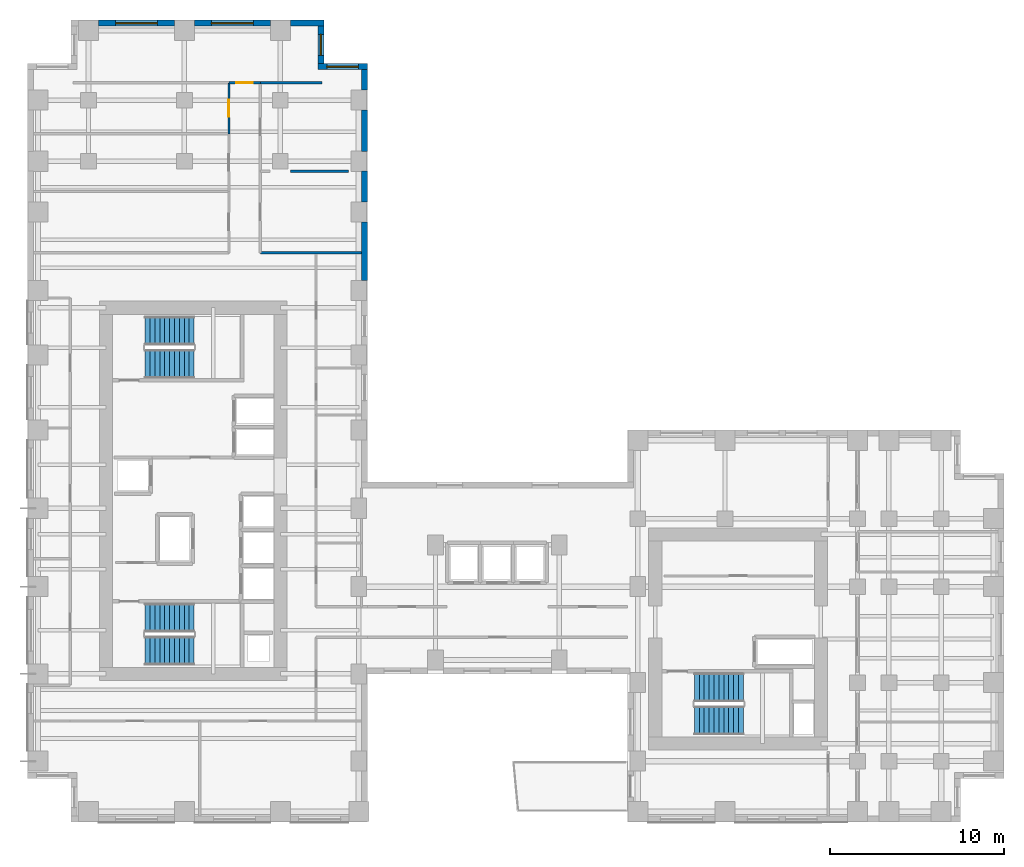
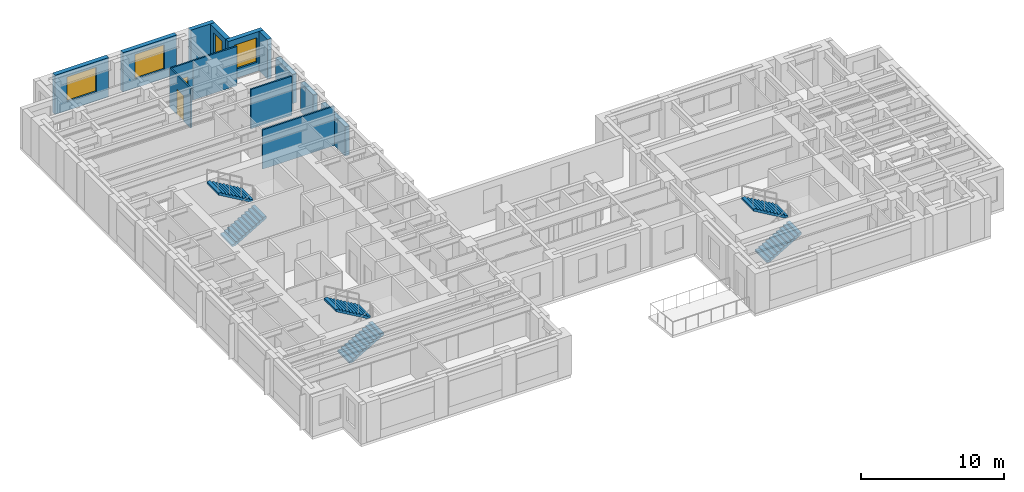
# One storey, part 9 of 12: 14 walls, 6 stair flights, 4 windows, 2 doors, 6 openings, 3 elements without a shape of their own.
"""IFC4 building model written with IfcOpenShell, lengths in metres."""

from ifc_helpers import new_model, si_unit, direction, frame, frame_2d, origin, place, context, subcontext, project, spatial, polyline, rectangle, outline, extrude, source, transform, mapped, material, layer, layer_set, type_object, element, fill, aggregate, save


model = new_model("IFC4")

# Units and contexts
model_context = context("Model", 3, precision=1e-05, world=origin(), true_north=direction((0.0, 1.0)))
body_context = subcontext(model_context, "Body", "Model", "MODEL_VIEW")
ifc_project = project(units=[si_unit("LENGTHUNIT", "METRE"), si_unit("AREAUNIT", "SQUARE_METRE"), si_unit("VOLUMEUNIT", "CUBIC_METRE"), si_unit("PLANEANGLEUNIT", "RADIAN"), si_unit("MASSUNIT", "GRAM", prefix="KILO")], contexts=[model_context])

# Site, building, storey
site_placement = place(None, origin())
site = spatial("IfcSite", under=ifc_project, at=site_placement, CompositionType="ELEMENT")
building_placement = place(site_placement, origin())
building = spatial("IfcBuilding", under=site, at=building_placement, Name="Kharzan Plaza Tower", CompositionType="ELEMENT")
storey_placement = place(building_placement, frame((0.0, 0.0, 91.800048828125)))
storey = spatial("IfcBuildingStorey", under=building, at=storey_placement, Name="L24", CompositionType="ELEMENT", Elevation=91.800048828125)

# Wall, opening, window
ifc_material_1 = material(Name="Concrete C40/50", Category="concrete")
ifc_layer_1 = layer(ifc_material_1, 0.35009765625)
ifc_layer_set_1 = layer_set([ifc_layer_1], Name="Concrete C40/50")
wall_type_1 = type_object("IfcWallType", Name="WL-EXT-MAS-Z2", PredefinedType="SOLIDWALL", material=ifc_layer_set_1)
wall_1_placement = place(storey_placement, frame((19.5, 43.324951171875, 0.0), z_axis=(0.0, 0.0, 1.0), x_axis=(-1.0, 0.0, 0.0)))
wall_1 = element("IfcWall", 1, at=wall_1_placement, inside=storey, type_object=wall_type_1, Name="L24 Masonry-Frame Exterior Wall 08", PredefinedType="SOLIDWALL", context=body_context, shape_type="SweptSolid", body=[
    extrude(rectangle(XDim=2.85009765625, YDim=0.35009765625, at=frame_2d((1.425048828125, 0.0))), origin(), (0.0, 0.0, 1.0), 3.364990234375),
])
opening_1_placement = place(wall_1_placement, frame((0.52490234375, 0.0, 0.780029296875)))
opening_1 = element("IfcOpeningElement", 2, at=opening_1_placement, cuts=wall_1, Name="Opening W1", PredefinedType="OPENING", context=body_context, shape_type="SweptSolid", body=[
    extrude(rectangle(XDim=1.800048828125, YDim=2.10009765625, at=frame_2d((0.89990234375, 1.050048828125))), frame((0.0, 0.18505859375, 0.0), z_axis=(0.0, -1.0, 0.0), x_axis=(1.0, 0.0, 0.0)), (0.0, 0.0, 1.0), 0.3701171875),
])
ifc_material_2 = material(Name="Low-E Double Glazing", Category="glass")
window_type_1 = type_object("IfcWindowType", Name="WN-REC-1800x2100", PartitioningType="SINGLE_PANEL", PredefinedType="WINDOW", material=ifc_material_2)
shared_shape_1 = source(origin(), body_context, "Body", "SweptSolid", [
    extrude(rectangle(XDim=1.800048828125, YDim=2.10009765625, at=frame_2d((0.89990234375, 1.050048828125))), frame((0.0, 0.030029296875, 0.0), z_axis=(0.0, -1.0, 0.0), x_axis=(1.0, 0.0, 0.0)), (0.0, 0.0, 1.0), 0.06005859375),
])
window_1_placement = place(opening_1_placement, origin())
window_1 = element("IfcWindow", 3, at=window_1_placement, inside=storey, type_object=window_type_1, Name="L24 Recessed Solar-Control Window 08-1", OverallHeight=2.10009765625, OverallWidth=1.800048828125, PartitioningType="SINGLE_PANEL", PredefinedType="WINDOW", context=body_context, shape_type="MappedRepresentation", body=[
    mapped(shared_shape_1, transform((0.0, 0.0, 0.0), x_axis=(1.0, 0.0, 0.0), y_axis=(0.0, 1.0, 0.0), z_axis=(0.0, 0.0, 1.0))),
])
fill(opening_1, window_1)

wall_2_placement = place(storey_placement, frame((16.824951171875, 43.498046875, 0.0), z_axis=(0.0, 0.0, 1.0), x_axis=(0.0, 1.0, 0.0)))
wall_2 = element("IfcWall", 4, at=wall_2_placement, inside=storey, type_object=wall_type_1, Name="L24 Masonry-Frame Exterior Wall 09", PredefinedType="SOLIDWALL", context=body_context, shape_type="SweptSolid", body=[
    extrude(rectangle(XDim=2.154052734375, YDim=0.35009765625, at=frame_2d((1.0771484375, 0.0))), origin(), (0.0, 0.0, 1.0), 3.364990234375),
])
opening_2_placement = place(wall_2_placement, frame((0.47705078125, 0.0, 0.780029296875)))
opening_2 = element("IfcOpeningElement", 5, at=opening_2_placement, cuts=wall_2, Name="Opening W3", PredefinedType="OPENING", context=body_context, shape_type="SweptSolid", body=[
    extrude(rectangle(XDim=1.199951171875, YDim=2.10009765625, at=frame_2d((0.60009765625, 1.050048828125))), frame((0.0, 0.18505859375, 0.0), z_axis=(0.0, -1.0, 0.0), x_axis=(1.0, 0.0, 0.0)), (0.0, 0.0, 1.0), 0.3701171875),
])
window_type_2 = type_object("IfcWindowType", Name="WN-REC-1200x2100", PartitioningType="SINGLE_PANEL", PredefinedType="WINDOW", material=ifc_material_2)
shared_shape_2 = source(origin(), body_context, "Body", "SweptSolid", [
    extrude(rectangle(XDim=1.199951171875, YDim=2.10009765625, at=frame_2d((0.60009765625, 1.050048828125))), frame((0.0, 0.030029296875, 0.0), z_axis=(0.0, -1.0, 0.0), x_axis=(1.0, 0.0, 0.0)), (0.0, 0.0, 1.0), 0.06005859375),
])
window_2_placement = place(opening_2_placement, origin())
window_2 = element("IfcWindow", 6, at=window_2_placement, inside=storey, type_object=window_type_2, Name="L24 Recessed Solar-Control Window 09-1", OverallHeight=2.10009765625, OverallWidth=1.199951171875, PartitioningType="SINGLE_PANEL", PredefinedType="WINDOW", context=body_context, shape_type="MappedRepresentation", body=[
    mapped(shared_shape_2, transform((0.0, 0.0, 0.0), x_axis=(1.0, 0.0, 0.0), y_axis=(0.0, 1.0, 0.0), z_axis=(0.0, 0.0, 1.0))),
])
fill(opening_2, window_2)

wall_3_placement = place(storey_placement, frame((13.927001953125, 45.824951171875, 0.0), z_axis=(0.0, 0.0, 1.0), x_axis=(-1.0, 0.0, 0.0)))
wall_3 = element("IfcWall", 7, at=wall_3_placement, inside=storey, type_object=wall_type_1, Name="L24 Masonry-Frame Exterior Wall 11", PredefinedType="SOLIDWALL", context=body_context, shape_type="SweptSolid", body=[
    extrude(rectangle(XDim=4.35400390625, YDim=0.35009765625, at=frame_2d((2.177001953125, 0.0))), origin(), (0.0, 0.0, 1.0), 3.364990234375),
])
opening_3_placement = place(wall_3_placement, frame((0.97705078125, 0.0, 0.780029296875)))
opening_3 = element("IfcOpeningElement", 8, at=opening_3_placement, cuts=wall_3, Name="Opening W2", PredefinedType="OPENING", context=body_context, shape_type="SweptSolid", body=[
    extrude(rectangle(XDim=2.39990234375, YDim=2.10009765625, at=frame_2d((1.199951171875, 1.050048828125))), frame((0.0, 0.18505859375, 0.0), z_axis=(0.0, -1.0, 0.0), x_axis=(1.0, 0.0, 0.0)), (0.0, 0.0, 1.0), 0.3701171875),
])
window_type_3 = type_object("IfcWindowType", Name="WN-REC-2400x2100", PartitioningType="SINGLE_PANEL", PredefinedType="WINDOW", material=ifc_material_2)
shared_shape_3 = source(origin(), body_context, "Body", "SweptSolid", [
    extrude(rectangle(XDim=2.39990234375, YDim=2.10009765625, at=frame_2d((1.199951171875, 1.050048828125))), frame((0.0, 0.030029296875, 0.0), z_axis=(0.0, -1.0, 0.0), x_axis=(1.0, 0.0, 0.0)), (0.0, 0.0, 1.0), 0.06005859375),
])
window_3_placement = place(opening_3_placement, origin())
window_3 = element("IfcWindow", 9, at=window_3_placement, inside=storey, type_object=window_type_3, Name="L24 Wide Recessed Solar-Control Window 11-1", OverallHeight=2.10009765625, OverallWidth=2.39990234375, PartitioningType="SINGLE_PANEL", PredefinedType="WINDOW", context=body_context, shape_type="MappedRepresentation", body=[
    mapped(shared_shape_3, transform((0.0, 0.0, 0.0), x_axis=(1.0, 0.0, 0.0), y_axis=(0.0, 1.0, 0.0), z_axis=(0.0, 0.0, 1.0))),
])
fill(opening_3, window_3)

wall_4_placement = place(storey_placement, frame((8.427001953125, 45.824951171875, 0.0), z_axis=(0.0, 0.0, 1.0), x_axis=(-1.0, 0.0, 0.0)))
wall_4 = element("IfcWall", 10, at=wall_4_placement, inside=storey, type_object=wall_type_1, Name="L24 Masonry-Frame Exterior Wall 12", PredefinedType="SOLIDWALL", context=body_context, shape_type="SweptSolid", body=[
    extrude(rectangle(XDim=4.35400390625, YDim=0.35009765625, at=frame_2d((2.177001953125, 0.0))), origin(), (0.0, 0.0, 1.0), 3.364990234375),
])
opening_4_placement = place(wall_4_placement, frame((0.97705078125, 0.0, 0.780029296875)))
opening_4 = element("IfcOpeningElement", 11, at=opening_4_placement, cuts=wall_4, Name="Opening W2", PredefinedType="OPENING", context=body_context, shape_type="SweptSolid", body=[
    extrude(rectangle(XDim=2.39990234375, YDim=2.10009765625, at=frame_2d((1.199951171875, 1.050048828125))), frame((0.0, 0.18505859375, 0.0), z_axis=(0.0, -1.0, 0.0), x_axis=(1.0, 0.0, 0.0)), (0.0, 0.0, 1.0), 0.3701171875),
])
window_4_placement = place(opening_4_placement, origin())
window_4 = element("IfcWindow", 12, at=window_4_placement, inside=storey, type_object=window_type_3, Name="L24 Wide Recessed Solar-Control Window 12-1", OverallHeight=2.10009765625, OverallWidth=2.39990234375, PartitioningType="SINGLE_PANEL", PredefinedType="WINDOW", context=body_context, shape_type="MappedRepresentation", body=[
    mapped(shared_shape_3, transform((0.0, 0.0, 0.0), x_axis=(1.0, 0.0, 0.0), y_axis=(0.0, 1.0, 0.0), z_axis=(0.0, 0.0, 1.0))),
])
fill(opening_4, window_4)

# Wall, opening, door
ifc_material_3 = material(Name="Fire-Rated Gypsum Board Partition", Category="gypsum")
ifc_layer_2 = layer(ifc_material_3, 0.125)
ifc_layer_set_2 = layer_set([ifc_layer_2], Name="Fire-Rated Gypsum Board Partition")
wall_type_2 = type_object("IfcWallType", Name="WL-INT-PART-125", PredefinedType="PARTITIONING", material=ifc_layer_set_2)
wall_5_placement = place(storey_placement, frame((11.550048828125, 42.39990234375, 0.0), z_axis=(0.0, 0.0, 1.0), x_axis=(1.0, 0.0, 0.0)))
wall_5 = element("IfcWall", 13, at=wall_5_placement, inside=storey, type_object=wall_type_2, Name="L24 Interior Partition SH-SPHD", PredefinedType="PARTITIONING", context=body_context, shape_type="SweptSolid", body=[
    extrude(rectangle(XDim=1.800048828125, YDim=0.125, at=frame_2d((0.89990234375, 0.0))), origin(), (0.0, 0.0, 1.0), 3.364990234375),
])
opening_5_placement = place(wall_5_placement, frame((0.425048828125, 0.0, 0.0)))
opening_5 = element("IfcOpeningElement", 14, at=opening_5_placement, cuts=wall_5, Name="Opening OD1", PredefinedType="OPENING", context=body_context, shape_type="SweptSolid", body=[
    extrude(rectangle(XDim=0.949951171875, YDim=2.14990234375, at=frame_2d((0.47509765625, 1.074951171875))), frame((0.0, 0.072509765625, 0.0), z_axis=(0.0, -1.0, 0.0), x_axis=(1.0, 0.0, 0.0)), (0.0, 0.0, 1.0), 0.14501953125),
])
ifc_material_4 = material(Name="Acoustic Solid-Core Stained Oak", Category="timber")
door_type = type_object("IfcDoorType", Name="DR-OFF-SINGLE", OperationType="NOTDEFINED", PredefinedType="DOOR", material=ifc_material_4)
shared_shape_4 = source(origin(), body_context, "Body", "SweptSolid", [
    extrude(rectangle(XDim=0.949951171875, YDim=2.14990234375, at=frame_2d((0.47509765625, 1.074951171875))), frame((0.0, 0.02490234375, 0.0), z_axis=(0.0, -1.0, 0.0), x_axis=(1.0, 0.0, 0.0)), (0.0, 0.0, 1.0), 0.050048828125),
])
door_1_placement = place(opening_5_placement, origin())
door_1 = element("IfcDoor", 15, at=door_1_placement, inside=storey, type_object=door_type, Name="L24 North Boardroom Door", OperationType="SINGLE_SWING_LEFT", OverallHeight=2.14990234375, OverallWidth=0.949951171875, PredefinedType="DOOR", context=body_context, shape_type="MappedRepresentation", body=[
    mapped(shared_shape_4, transform((0.0, 0.0, 0.0), x_axis=(1.0, 0.0, 0.0), y_axis=(0.0, 1.0, 0.0), z_axis=(0.0, 0.0, 1.0))),
])
fill(opening_5, door_1)

wall_6_placement = place(storey_placement, frame((11.550048828125, 39.47509765625, 0.0), z_axis=(0.0, 0.0, 1.0), x_axis=(0.0, 1.0, 0.0)))
wall_6 = element("IfcWall", 16, at=wall_6_placement, inside=storey, type_object=wall_type_2, Name="L24 Interior Partition SH-SPW-3", PredefinedType="PARTITIONING", context=body_context, shape_type="SweptSolid", body=[
    extrude(rectangle(XDim=2.9248046875, YDim=0.125, at=frame_2d((1.46240234375, 0.0))), origin(), (0.0, 0.0, 1.0), 3.364990234375),
])
opening_6_placement = place(wall_6_placement, frame((0.987548828125, 0.0, 0.0)))
opening_6 = element("IfcOpeningElement", 17, at=opening_6_placement, cuts=wall_6, Name="Opening OD1", PredefinedType="OPENING", context=body_context, shape_type="SweptSolid", body=[
    extrude(rectangle(XDim=0.949951171875, YDim=2.14990234375, at=frame_2d((0.47509765625, 1.074951171875))), frame((0.0, 0.072509765625, 0.0), z_axis=(0.0, -1.0, 0.0), x_axis=(1.0, 0.0, 0.0)), (0.0, 0.0, 1.0), 0.14501953125),
])
door_2_placement = place(opening_6_placement, origin())
door_2 = element("IfcDoor", 18, at=door_2_placement, inside=storey, type_object=door_type, Name="L24 Physiotherapy Treatment Room Door", OperationType="SINGLE_SWING_RIGHT", OverallHeight=2.14990234375, OverallWidth=0.949951171875, PredefinedType="DOOR", context=body_context, shape_type="MappedRepresentation", body=[
    mapped(shared_shape_4, transform((0.0, 0.0, 0.0), x_axis=(1.0, 0.0, 0.0), y_axis=(0.0, 1.0, 0.0), z_axis=(0.0, 0.0, 1.0))),
])
fill(opening_6, door_2)

# Walls
shared_shape_5 = source(origin(), body_context, "Body", "SweptSolid", [
    extrude(rectangle(XDim=5.7978515625, YDim=0.125, at=frame_2d((2.89892578125, 0.0))), origin(), (0.0, 0.0, 1.0), 3.364990234375),
])
wall_7_placement = place(storey_placement, frame((13.35009765625, 32.64990234375, 0.0), z_axis=(0.0, 0.0, 1.0), x_axis=(1.0, 0.0, 0.0)))
element("IfcWall", 19, at=wall_7_placement, inside=storey, type_object=wall_type_2, Name="L24 Interior Partition SH-NNE", PredefinedType="PARTITIONING", context=body_context, shape_type="MappedRepresentation", body=[
    mapped(shared_shape_5, transform((0.0, 0.0, 0.0), x_axis=(1.0, 0.0, 0.0), y_axis=(0.0, 1.0, 0.0), z_axis=(0.0, 0.0, 1.0))),
])
shared_shape_6 = source(origin(), body_context, "Body", "SweptSolid", [
    extrude(rectangle(XDim=3.5498046875, YDim=0.125, at=frame_2d((1.77490234375, 0.0))), origin(), (0.0, 0.0, 1.0), 3.364990234375),
])
wall_8_placement = place(storey_placement, frame((13.35009765625, 42.39990234375, 0.0), z_axis=(0.0, 0.0, 1.0), x_axis=(1.0, 0.0, 0.0)))
element("IfcWall", 20, at=wall_8_placement, inside=storey, type_object=wall_type_2, Name="L24 Interior Partition SH-SPHE", PredefinedType="PARTITIONING", context=body_context, shape_type="MappedRepresentation", body=[
    mapped(shared_shape_6, transform((0.0, 0.0, 0.0), x_axis=(1.0, 0.0, 0.0), y_axis=(0.0, 1.0, 0.0), z_axis=(0.0, 0.0, 1.0))),
])
shared_shape_7 = source(origin(), body_context, "Body", "SweptSolid", [
    extrude(rectangle(XDim=1.927001953125, YDim=0.35009765625, at=frame_2d((0.96337890625, 0.0))), origin(), (0.0, 0.0, 1.0), 3.364990234375),
])
wall_9_placement = place(storey_placement, frame((17.0, 45.824951171875, 0.0), z_axis=(0.0, 0.0, 1.0), x_axis=(-1.0, 0.0, 0.0)))
element("IfcWall", 21, at=wall_9_placement, inside=storey, type_object=wall_type_1, Name="L24 Masonry-Frame Exterior Wall 10", PredefinedType="SOLIDWALL", context=body_context, shape_type="MappedRepresentation", body=[
    mapped(shared_shape_7, transform((0.0, 0.0, 0.0), x_axis=(1.0, 0.0, 0.0), y_axis=(0.0, 1.0, 0.0), z_axis=(0.0, 0.0, 1.0))),
])
shared_shape_8 = source(origin(), body_context, "Body", "SweptSolid", [
    extrude(rectangle(XDim=1.17919921875, YDim=0.35009765625, at=frame_2d((0.589599609375, 0.0))), origin(), (0.0, 0.0, 1.0), 3.364990234375),
])
wall_10_placement = place(storey_placement, frame((19.324951171875, 41.972900390625, 0.0), z_axis=(0.0, 0.0, 1.0), x_axis=(0.0, 1.0, 0.0)))
element("IfcWall", 22, at=wall_10_placement, inside=storey, type_object=wall_type_1, Name="L24 Masonry-Frame Exterior Wall 07", PredefinedType="SOLIDWALL", context=body_context, shape_type="MappedRepresentation", body=[
    mapped(shared_shape_8, transform((0.0, 0.0, 0.0), x_axis=(1.0, 0.0, 0.0), y_axis=(0.0, 1.0, 0.0), z_axis=(0.0, 0.0, 1.0))),
])
shared_shape_9 = source(origin(), body_context, "Body", "SweptSolid", [
    extrude(rectangle(XDim=1.75390625, YDim=0.35009765625, at=frame_2d((0.876953125, 0.0))), origin(), (0.0, 0.0, 1.0), 2.51904296875),
])
wall_11_placement = place(storey_placement, frame((19.324951171875, 35.572998046875, 0.0), z_axis=(0.0, 0.0, 1.0), x_axis=(0.0, 1.0, 0.0)))
element("IfcWall", 23, at=wall_11_placement, inside=storey, type_object=wall_type_1, Name="L24 Masonry-Frame Exterior Wall 05", PredefinedType="SOLIDWALL", context=body_context, shape_type="MappedRepresentation", body=[
    mapped(shared_shape_9, transform((0.0, 0.0, 0.0), x_axis=(1.0, 0.0, 0.0), y_axis=(0.0, 1.0, 0.0), z_axis=(0.0, 0.0, 1.0))),
])
shared_shape_10 = source(origin(), body_context, "Body", "SweptSolid", [
    extrude(rectangle(XDim=3.35400390625, YDim=0.35009765625, at=frame_2d((1.677001953125, 0.0))), origin(), (0.0, 0.0, 1.0), 2.51904296875),
])
wall_12_placement = place(storey_placement, frame((19.324951171875, 31.072998046875, 0.0), z_axis=(0.0, 0.0, 1.0), x_axis=(0.0, 1.0, 0.0)))
element("IfcWall", 24, at=wall_12_placement, inside=storey, type_object=wall_type_1, Name="L24 Masonry-Frame Exterior Wall 04", PredefinedType="SOLIDWALL", context=body_context, shape_type="MappedRepresentation", body=[
    mapped(shared_shape_10, transform((0.0, 0.0, 0.0), x_axis=(1.0, 0.0, 0.0), y_axis=(0.0, 1.0, 0.0), z_axis=(0.0, 0.0, 1.0))),
])
shared_shape_11 = source(origin(), body_context, "Body", "SweptSolid", [
    extrude(rectangle(XDim=2.35400390625, YDim=0.35009765625, at=frame_2d((1.177001953125, 0.0))), origin(), (0.0, 0.0, 1.0), 2.51904296875),
])
wall_13_placement = place(storey_placement, frame((19.324951171875, 38.472900390625, 0.0), z_axis=(0.0, 0.0, 1.0), x_axis=(0.0, 1.0, 0.0)))
element("IfcWall", 25, at=wall_13_placement, inside=storey, type_object=wall_type_1, Name="L24 Masonry-Frame Exterior Wall 06", PredefinedType="SOLIDWALL", context=body_context, shape_type="MappedRepresentation", body=[
    mapped(shared_shape_11, transform((0.0, 0.0, 0.0), x_axis=(1.0, 0.0, 0.0), y_axis=(0.0, 1.0, 0.0), z_axis=(0.0, 0.0, 1.0))),
])
shared_shape_12 = source(origin(), body_context, "Body", "SweptSolid", [
    extrude(rectangle(XDim=3.31982421875, YDim=0.125, at=frame_2d((1.659912109375, 0.0))), origin(), (0.0, 0.0, 1.0), 3.364990234375),
])
wall_14_placement = place(storey_placement, frame((15.090087890625, 37.330078125, 0.0), z_axis=(0.0, 0.0, 1.0), x_axis=(1.0, 0.0, 0.0)))
element("IfcWall", 26, at=wall_14_placement, inside=storey, type_object=wall_type_2, Name="L24 Interior Partition SH-NEH-1-S2", PredefinedType="PARTITIONING", context=body_context, shape_type="MappedRepresentation", body=[
    mapped(shared_shape_12, transform((0.0, 0.0, 0.0), x_axis=(1.0, 0.0, 0.0), y_axis=(0.0, 1.0, 0.0), z_axis=(0.0, 0.0, 1.0))),
])

# Stair, stair flights
stair_type_1 = type_object("IfcStairType", Name="STR-ST-1", PredefinedType="HALF_TURN_STAIR", material=ifc_material_1)
stair_1_placement = place(storey_placement, origin())
stair_1 = element("IfcStair", 27, at=stair_1_placement, inside=storey, type_object=stair_type_1, Name="L24 Protected Exit Stair ST-1", PredefinedType="HALF_TURN_STAIR")
stair_flight_type = type_object("IfcStairFlightType", Name="SFL-1650-R173", PredefinedType="STRAIGHT", material=ifc_material_1)
shared_shape_13 = source(origin(), body_context, "Body", "SweptSolid", [
    extrude(outline(polyline([(-0.0029296875, -0.011962890625), (-0.0029296875, 0.0), (0.0, 0.0), (0.0, 0.16357421875), (0.280029296875, 0.16357421875), (0.280029296875, 0.3271484375), (0.56005859375, 0.3271484375), (0.56005859375, 0.49072265625), (0.840087890625, 0.49072265625), (0.840087890625, 0.654296875), (1.1201171875, 0.654296875), (1.1201171875, 0.81787109375), (1.400146484375, 0.81787109375), (1.400146484375, 0.9814453125), (1.68017578125, 0.9814453125), (1.68017578125, 1.14501953125), (1.960205078125, 1.14501953125), (1.960205078125, 1.30859375), (2.240234375, 1.30859375), (2.240234375, 1.47216796875), (2.520263671875, 1.47216796875), (2.520263671875, 1.6357421875), (2.80029296875, 1.6357421875), (2.80029296875, 1.79931640625), (2.80029296875, 1.462158203125), (0.297119140625, 0.0), (0.297119140625, -0.011962890625), (-0.0029296875, -0.011962890625)])), frame((0.0, 0.824951171875, 0.0), z_axis=(0.0, -1.0, 0.0), x_axis=(1.0, 0.0, 0.0)), (0.0, 0.0, 1.0), 1.64990234375),
])
stair_flight_1_placement = place(storey_placement, frame((6.75, 9.824951171875, 0.0), z_axis=(0.0, 0.0, 1.0), x_axis=(1.0, 0.0, 0.0)))
stair_flight_1 = element("IfcStairFlight", 28, at=stair_flight_1_placement, type_object=stair_flight_type, Name="ST-1 flight 1", NumberOfRisers=11, NumberOfTreads=10, PredefinedType="STRAIGHT", RiserHeight=0.163636364, TreadLength=0.28, context=body_context, shape_type="MappedRepresentation", body=[
    mapped(shared_shape_13, transform((0.0, 0.0, 0.0), x_axis=(1.0, 0.0, 0.0), y_axis=(0.0, 1.0, 0.0), z_axis=(0.0, 0.0, 1.0))),
])
stair_flight_2_placement = place(storey_placement, frame((9.550048828125, 11.72509765625, 1.800048828125), z_axis=(0.0, 0.0, 1.0), x_axis=(-1.0, 0.0, 0.0)))
stair_flight_2 = element("IfcStairFlight", 29, at=stair_flight_2_placement, type_object=stair_flight_type, Name="ST-1 flight 2", NumberOfRisers=11, NumberOfTreads=10, PredefinedType="STRAIGHT", RiserHeight=0.163636364, TreadLength=0.28, context=body_context, shape_type="MappedRepresentation", body=[
    mapped(shared_shape_13, transform((0.0, 0.0, 0.0), x_axis=(1.0, 0.0, 0.0), y_axis=(0.0, 1.0, 0.0), z_axis=(0.0, 0.0, 1.0))),
])
aggregate(stair_1, [stair_flight_1, stair_flight_2])

stair_type_2 = type_object("IfcStairType", Name="STR-ST-2", PredefinedType="HALF_TURN_STAIR", material=ifc_material_1)
stair_2_placement = place(storey_placement, origin())
stair_2 = element("IfcStair", 30, at=stair_2_placement, inside=storey, type_object=stair_type_2, Name="L24 Protected Exit Stair ST-2", PredefinedType="HALF_TURN_STAIR")
stair_flight_3_placement = place(storey_placement, frame((6.75, 26.27490234375, 0.0), z_axis=(0.0, 0.0, 1.0), x_axis=(1.0, 0.0, 0.0)))
stair_flight_3 = element("IfcStairFlight", 31, at=stair_flight_3_placement, type_object=stair_flight_type, Name="ST-2 flight 1", NumberOfRisers=11, NumberOfTreads=10, PredefinedType="STRAIGHT", RiserHeight=0.163636364, TreadLength=0.28, context=body_context, shape_type="MappedRepresentation", body=[
    mapped(shared_shape_13, transform((0.0, 0.0, 0.0), x_axis=(1.0, 0.0, 0.0), y_axis=(0.0, 1.0, 0.0), z_axis=(0.0, 0.0, 1.0))),
])
stair_flight_4_placement = place(storey_placement, frame((9.550048828125, 28.175048828125, 1.800048828125), z_axis=(0.0, 0.0, 1.0), x_axis=(-1.0, 0.0, 0.0)))
stair_flight_4 = element("IfcStairFlight", 32, at=stair_flight_4_placement, type_object=stair_flight_type, Name="ST-2 flight 2", NumberOfRisers=11, NumberOfTreads=10, PredefinedType="STRAIGHT", RiserHeight=0.163636364, TreadLength=0.28, context=body_context, shape_type="MappedRepresentation", body=[
    mapped(shared_shape_13, transform((0.0, 0.0, 0.0), x_axis=(1.0, 0.0, 0.0), y_axis=(0.0, 1.0, 0.0), z_axis=(0.0, 0.0, 1.0))),
])
aggregate(stair_2, [stair_flight_3, stair_flight_4])

stair_type_3 = type_object("IfcStairType", Name="STR-ST-3", PredefinedType="HALF_TURN_STAIR", material=ifc_material_1)
stair_3_placement = place(storey_placement, origin())
stair_3 = element("IfcStair", 33, at=stair_3_placement, inside=storey, type_object=stair_type_3, Name="L24 Protected Exit Stair ST-3", PredefinedType="HALF_TURN_STAIR")
stair_flight_5_placement = place(storey_placement, frame((38.25, 5.824951171875, 0.0), z_axis=(0.0, 0.0, 1.0), x_axis=(1.0, 0.0, 0.0)))
stair_flight_5 = element("IfcStairFlight", 34, at=stair_flight_5_placement, type_object=stair_flight_type, Name="ST-3 flight 1", NumberOfRisers=11, NumberOfTreads=10, PredefinedType="STRAIGHT", RiserHeight=0.163636364, TreadLength=0.28, context=body_context, shape_type="MappedRepresentation", body=[
    mapped(shared_shape_13, transform((0.0, 0.0, 0.0), x_axis=(1.0, 0.0, 0.0), y_axis=(0.0, 1.0, 0.0), z_axis=(0.0, 0.0, 1.0))),
])
stair_flight_6_placement = place(storey_placement, frame((41.050048828125, 7.72509765625, 1.800048828125), z_axis=(0.0, 0.0, 1.0), x_axis=(-1.0, 0.0, 0.0)))
stair_flight_6 = element("IfcStairFlight", 35, at=stair_flight_6_placement, type_object=stair_flight_type, Name="ST-3 flight 2", NumberOfRisers=11, NumberOfTreads=10, PredefinedType="STRAIGHT", RiserHeight=0.163636364, TreadLength=0.28, context=body_context, shape_type="MappedRepresentation", body=[
    mapped(shared_shape_13, transform((0.0, 0.0, 0.0), x_axis=(1.0, 0.0, 0.0), y_axis=(0.0, 1.0, 0.0), z_axis=(0.0, 0.0, 1.0))),
])
aggregate(stair_3, [stair_flight_5, stair_flight_6])

save(model, "model.ifc")
